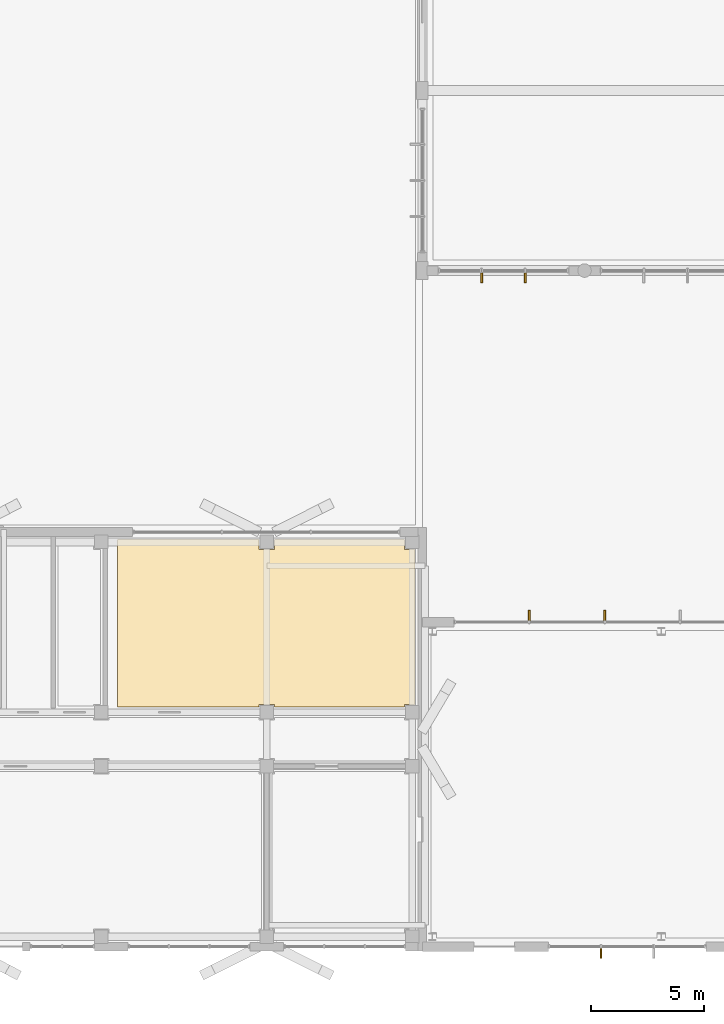
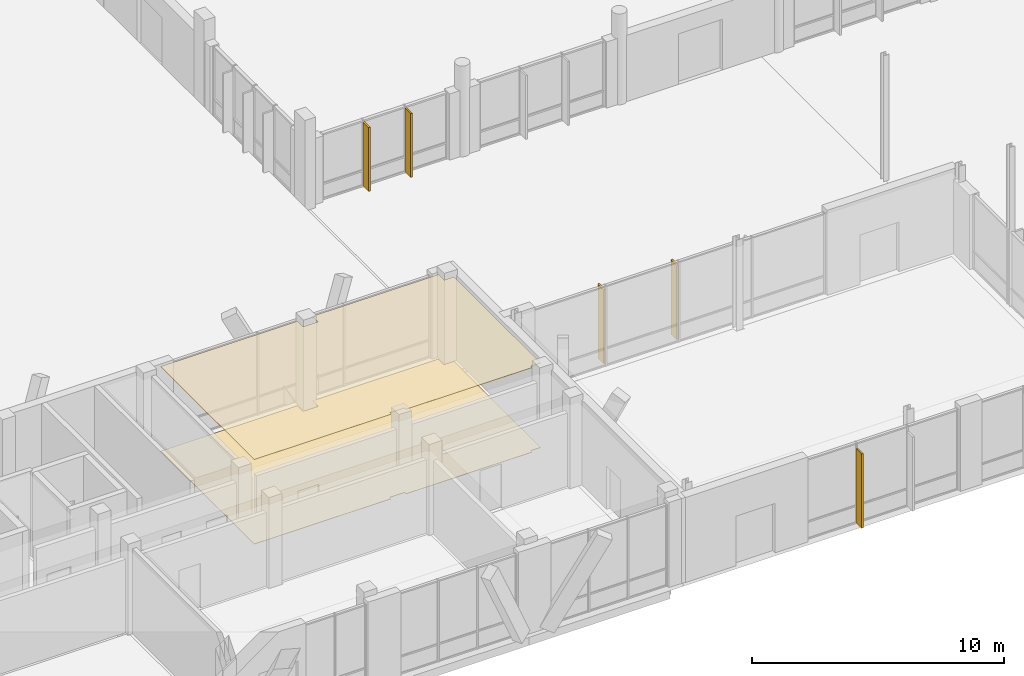
# One storey, part 211 of 233: 5 shading devices, 2 coverings.
"""IFC4 building model written with IfcOpenShell, lengths in metres."""

from ifc_helpers import new_model, si_unit, direction, frame, origin, origin_2d, place, context, subcontext, project, spatial, polyline, rectangle, outline, extrude, material, layer, layer_set, type_object, element, save


model = new_model("IFC4")

# Units and contexts
model_context = context("Model", 3, precision=1e-05, world=origin(), true_north=direction((0.0, 1.0)))
body_context = subcontext(model_context, "Body", "Model", "MODEL_VIEW")
ifc_project = project(units=[si_unit("LENGTHUNIT", "METRE"), si_unit("AREAUNIT", "SQUARE_METRE"), si_unit("VOLUMEUNIT", "CUBIC_METRE"), si_unit("PLANEANGLEUNIT", "RADIAN"), si_unit("MASSUNIT", "GRAM", prefix="KILO")], contexts=[model_context])

# Site, building, storey
site_placement = place(None, origin())
site = spatial("IfcSite", under=ifc_project, at=site_placement, CompositionType="ELEMENT")
building_placement = place(site_placement, origin())
building = spatial("IfcBuilding", under=site, at=building_placement, Name="Zavelmont Quarter", CompositionType="ELEMENT")
storey_placement = place(building_placement, origin())
storey = spatial("IfcBuildingStorey", under=building, at=storey_placement, Name="L00", CompositionType="ELEMENT", Elevation=0.0)

# Coverings
ifc_material_1 = material(Name="Perforated acoustic gypsum board")
ifc_layer_1 = layer(ifc_material_1, 0.02490234375)
ifc_layer_set_1 = layer_set([ifc_layer_1], Name="Perforated acoustic gypsum board")
covering_type_1 = type_object("IfcCoveringType", Name="CV-CL01", PredefinedType="CEILING", material=ifc_layer_set_1)
covering_1_placement = place(storey_placement, frame((0.0, 0.0, 4.094970703125)))
element("IfcCovering", 1, at=covering_1_placement, inside=storey, type_object=covering_type_1, Name="L00 Garden Tool and Parcel Room acoustic ceiling", PredefinedType="CEILING", context=body_context, shape_type="SweptSolid", body=[
    extrude(outline(polyline([(41.679931640625, 18.070068359375), (47.9599609375, 18.070068359375), (47.9599609375, 17.6201171875), (48.639892578125, 17.6201171875), (48.639892578125, 18.070068359375), (54.419921875, 18.070068359375), (54.419921875, 17.6201171875), (54.8701171875, 17.6201171875), (54.8701171875, 10.739990234375), (54.419921875, 10.739990234375), (54.419921875, 10.6298828125), (48.639892578125, 10.6298828125), (48.639892578125, 10.739990234375), (47.9599609375, 10.739990234375), (47.9599609375, 10.6298828125), (41.679931640625, 10.6298828125), (41.679931640625, 18.070068359375)])), origin(), (0.0, 0.0, 1.0), 0.025146484375),
])
ifc_material_2 = material(Name="Engineered European oak parquet")
ifc_layer_2 = layer(ifc_material_2, 0.02197265625)
ifc_layer_set_2 = layer_set([ifc_layer_2], Name="Engineered European oak parquet")
covering_type_2 = type_object("IfcCoveringType", Name="CV-FL01", PredefinedType="FLOORING", material=ifc_layer_set_2)
covering_2_placement = place(storey_placement, origin())
element("IfcCovering", 2, at=covering_2_placement, inside=storey, type_object=covering_type_2, Name="L00 Garden Tool and Parcel Room floor finish", PredefinedType="FLOORING", context=body_context, shape_type="SweptSolid", body=[
    extrude(outline(polyline([(41.679931640625, 18.070068359375), (47.9599609375, 18.070068359375), (47.9599609375, 17.6201171875), (48.639892578125, 17.6201171875), (48.639892578125, 18.070068359375), (54.419921875, 18.070068359375), (54.419921875, 17.6201171875), (54.8701171875, 17.6201171875), (54.8701171875, 10.739990234375), (54.419921875, 10.739990234375), (54.419921875, 10.6298828125), (48.639892578125, 10.6298828125), (48.639892578125, 10.739990234375), (47.9599609375, 10.739990234375), (47.9599609375, 10.6298828125), (41.679931640625, 10.6298828125), (41.679931640625, 18.070068359375)])), origin(), (0.0, 0.0, 1.0), 0.02197265625),
])

# Shading devices
ifc_material_3 = material(Name="Anodised aluminium EN AW-6063-T6", Category="aluminium")
shading_device_type_1 = type_object("IfcShadingDeviceType", Name="SD01", PredefinedType="JALOUSIE", material=ifc_material_3)
for number, where, z_axis, x_axis, name in (
    (3, (63.13330078125, -0.294921875, 0.050048828125), (0.0, 0.0, 1.0), (1.0, 0.0, 0.0), "L00 solar brise-soleil fin SD01"),
    (4, (59.949951171875, 14.695068359375, 0.050048828125), (0.0, 0.0, 1.0), (1.0, 0.0, 0.0), "L00 solar brise-soleil fin SD01"),
    (5, (63.300048828125, 14.695068359375, 0.050048828125), (0.0, 0.0, 1.0), (1.0, 0.0, 0.0), "L00 solar brise-soleil fin SD01"),
):
    element("IfcShadingDevice", number, at=place(storey_placement, frame(where, z_axis=z_axis, x_axis=x_axis)), inside=storey, type_object=shading_device_type_1, Name=name, PredefinedType="JALOUSIE", context=body_context, shape_type="SweptSolid", body=[
        extrude(rectangle(XDim=0.080078125, YDim=0.449951171875, at=origin_2d()), origin(), (0.0, 0.0, 1.0), 3.60009765625),
    ])
shading_device_type_2 = type_object("IfcShadingDeviceType", Name="SD02", PredefinedType="JALOUSIE", material=ifc_material_3)
for number, where, z_axis, x_axis, name in (
    (6, (57.833251953125, 29.68505859375, 0.050048828125), (0.0, 0.0, 1.0), (1.0, 0.0, 0.0), "L00 solar brise-soleil fin SD02"),
    (7, (59.7666015625, 29.68505859375, 0.050048828125), (0.0, 0.0, 1.0), (1.0, 0.0, 0.0), "L00 solar brise-soleil fin SD02"),
):
    element("IfcShadingDevice", number, at=place(storey_placement, frame(where, z_axis=z_axis, x_axis=x_axis)), inside=storey, type_object=shading_device_type_2, Name=name, PredefinedType="JALOUSIE", context=body_context, shape_type="SweptSolid", body=[
        extrude(rectangle(XDim=0.080078125, YDim=0.449951171875, at=origin_2d()), origin(), (0.0, 0.0, 1.0), 3.10009765625),
    ])

save(model, "model.ifc")
